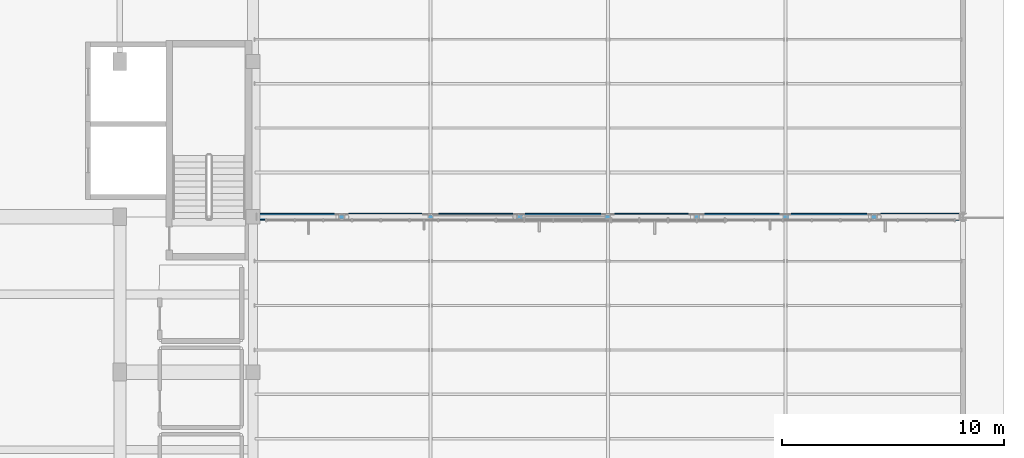
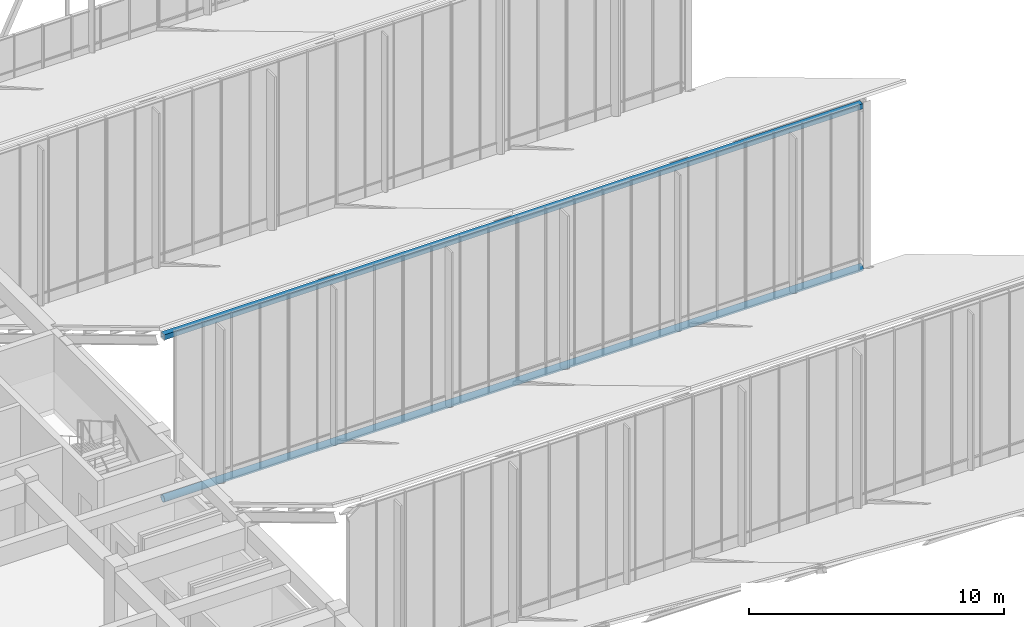
# One storey, part 46 of 155: 2 members.
"""IFC4 building model written with IfcOpenShell, lengths in metres."""

import ifcopenshell
import ifcopenshell.guid

model = None  # the IFC model being written
_history = None  # IfcOwnerHistory: only IFC2X3 demands one
_inside = {}  # id of a spatial element -> (the spatial element, [elements in it])
_under = {}  # id of a project, library or spatial element -> (it, [spatial elements below it])
_declared = {}  # id of a project -> (the project, [libraries it declares])
_typed = {}  # id of a type object -> (the type object, [elements of that type])
_made_of = {}  # id of a material, layer set ... -> (it, [elements and type objects made of it])


def new_model(schema):
    """Start an empty IFC model of exactly this schema.

    Asked for "IFC4X3", IfcOpenShell would pick the latest addendum, in which some entities
    have other attributes; the version numbers below select the first issue.
    IFC2X3 requires an IfcOwnerHistory on every rooted entity: one is made here for all.
    """
    global model, _history
    if schema == "IFC4X3":
        model = ifcopenshell.file(schema_version=(4, 3, 0, 0))
    else:
        model = ifcopenshell.file(schema=schema)
    _inside.clear()
    _under.clear()
    _declared.clear()
    _typed.clear()
    _made_of.clear()
    _history = None
    if model.schema == "IFC2X3":
        org = make("IfcOrganization", Name="unknown")
        user = make(
            "IfcPersonAndOrganization",
            ThePerson=make("IfcPerson", FamilyName="unknown"),
            TheOrganization=org,
        )
        app = make(
            "IfcApplication",
            ApplicationDeveloper=org,
            Version="unknown",
            ApplicationFullName="unknown",
            ApplicationIdentifier="unknown",
        )
        _history = make(
            "IfcOwnerHistory",
            OwningUser=user,
            OwningApplication=app,
            ChangeAction="ADDED",
            CreationDate=0,
        )
    return model


def make(cls, **values):
    """One entity of the class cls with the attributes given. An attribute that is None is left unset."""
    return model.create_entity(
        cls, **{name: value for name, value in values.items() if value is not None}
    )


def rooted(cls, **values):
    """An entity with a GlobalId (a new one), such as an element, a storey or a relation."""
    return make(cls, GlobalId=ifcopenshell.guid.new(), OwnerHistory=_history, **values)


def si_unit(unit_type, name, prefix=None):
    """IfcSIUnit, for example si_unit("LENGTHUNIT", "METRE", prefix="MILLI")."""
    return make("IfcSIUnit", UnitType=unit_type, Prefix=prefix, Name=name)


def assignment(units):
    """IfcUnitAssignment: the units of a project."""
    return None if units is None else make("IfcUnitAssignment", Units=units)


def point(xyz):
    """IfcCartesianPoint."""
    return None if xyz is None else make("IfcCartesianPoint", Coordinates=xyz)


def direction(xyz):
    """IfcDirection."""
    return None if xyz is None else make("IfcDirection", DirectionRatios=xyz)


def frame(location, z_axis=None, x_axis=None):
    """IfcAxis2Placement3D, a coordinate frame: its origin and axes. An axis left out is left unset."""
    return make(
        "IfcAxis2Placement3D",
        Location=point(location),
        Axis=direction(z_axis),
        RefDirection=direction(x_axis),
    )


def frame_2d(location, x_axis=None):
    """IfcAxis2Placement2D, a coordinate frame in the plane: its origin and x axis."""
    return make(
        "IfcAxis2Placement2D", Location=point(location), RefDirection=direction(x_axis)
    )


def origin():
    """The frame at (0, 0, 0) with its axes left unset."""
    return frame((0.0, 0.0, 0.0))


def origin_2d():
    """The frame at (0, 0) in the plane with its x axis left unset."""
    return frame_2d((0.0, 0.0))


def place(relative_to, where):
    """IfcLocalPlacement: puts the frame where relative to a parent placement (None: the world)."""
    return make(
        "IfcLocalPlacement", PlacementRelTo=relative_to, RelativePlacement=where
    )


def context(
    kind, dimensions, precision=None, world=None, true_north=None, identifier=None
):
    """IfcGeometricRepresentationContext, for example the 3D "Model" context."""
    return make(
        "IfcGeometricRepresentationContext",
        ContextIdentifier=identifier,
        ContextType=kind,
        CoordinateSpaceDimension=dimensions,
        Precision=precision,
        WorldCoordinateSystem=world,
        TrueNorth=true_north,
    )


def subcontext(parent, identifier, kind, view, scale=None):
    """IfcGeometricRepresentationSubContext, for example "Body" below "Model"."""
    return make(
        "IfcGeometricRepresentationSubContext",
        ContextIdentifier=identifier,
        ContextType=kind,
        ParentContext=parent,
        TargetScale=scale,
        TargetView=view,
    )


def project(units=None, contexts=None):
    """IfcProject with its units and contexts."""
    return rooted(
        "IfcProject",
        Name="project",
        RepresentationContexts=contexts,
        UnitsInContext=assignment(units),
    )


def spatial(cls, under=None, at=None, **own):
    """A site, building, storey or space (cls), placed at a placement, below another one or the project."""
    s = rooted(cls, ObjectPlacement=at, **own)
    if under is not None:
        _under.setdefault(under.id(), (under, []))[1].append(s)
    return s


def profile(cls, at=None, kind="AREA", **sizes):
    """A parametric profile (cls). Its sizes go by their IFC names, for example OverallWidth=200.0."""
    return make(cls, ProfileType=kind, Position=at, **sizes)


def hollow_rectangle(**sizes):
    """IfcRectangleHollowProfileDef."""
    return profile("IfcRectangleHollowProfileDef", **sizes)


def hollow_circle(**sizes):
    """IfcCircleHollowProfileDef."""
    return profile("IfcCircleHollowProfileDef", **sizes)


def extrude(swept, where, along, depth):
    """IfcExtrudedAreaSolid: the profile swept, set in the frame where, extruded along a direction by depth."""
    return make(
        "IfcExtrudedAreaSolid",
        SweptArea=swept,
        Position=where,
        ExtrudedDirection=direction(along),
        Depth=depth,
    )


def shape(context_of_items, identifier, shape_type, items):
    """IfcShapeRepresentation: the items that make up one representation, for example the "Body"."""
    return make(
        "IfcShapeRepresentation",
        ContextOfItems=context_of_items,
        RepresentationIdentifier=identifier,
        RepresentationType=shape_type,
        Items=items,
    )


def material(Name=None, Category=None):
    """IfcMaterial."""
    return make("IfcMaterial", Name=Name, Category=Category)


def material_profile(
    of_material, cross_section, Name=None, Category=None, Priority=None
):
    """IfcMaterialProfile: a cross section and its material."""
    return make(
        "IfcMaterialProfile",
        Name=Name,
        Material=of_material,
        Profile=cross_section,
        Priority=Priority,
        Category=Category,
    )


def profile_set(profiles, Name=None, composite=None):
    """IfcMaterialProfileSet."""
    return make(
        "IfcMaterialProfileSet",
        Name=Name,
        MaterialProfiles=profiles,
        CompositeProfile=composite,
    )


def made_of(thing, what):
    """Note that an element or type object is made of a material, layer set ...; save() writes the relation."""
    if what is not None:
        _made_of.setdefault(what.id(), (what, []))[1].append(thing)
    return thing


def type_object(cls, material=None, **own):
    """A type object (cls), such as IfcWallType, which elements share."""
    return made_of(rooted(cls, **own), material)


def element(
    cls,
    number,
    at=None,
    inside=None,
    cuts=None,
    type_object=None,
    material=None,
    context=None,
    identifier="Body",
    shape_type=None,
    held_by="IfcProductDefinitionShape",
    body=None,
    shapes=None,
    **own,
):
    """One element of the class cls, such as IfcWall. Its Tag is "e" and its number.

    at: its placement. inside: the storey or other place that contains it. cuts: it is an
    opening in that element (IfcRelVoidsElement). A single representation is given by context,
    identifier, shape_type and body (its items); several are given by shapes. held_by: the class
    of the entity that holds the representations. save() writes the other relations.
    """
    e = rooted(cls, Tag="e%d" % number, ObjectPlacement=at, **own)
    if body is not None:
        shapes = [shape(context, identifier, shape_type, body)]
    if shapes is not None:
        e.Representation = make(held_by, Representations=shapes)
    if inside is not None:
        _inside.setdefault(inside.id(), (inside, []))[1].append(e)
    if cuts is not None:
        rooted(
            "IfcRelVoidsElement", RelatingBuildingElement=cuts, RelatedOpeningElement=e
        )
    if type_object is not None:
        _typed.setdefault(type_object.id(), (type_object, []))[1].append(e)
    return made_of(e, material)


def aggregate(whole, parts):
    """IfcRelAggregates: a whole, such as a stair, and the parts it consists of."""
    return rooted("IfcRelAggregates", RelatingObject=whole, RelatedObjects=parts)


def save(model, path):
    """Write the relations noted so far, then the file.

    IfcRelAggregates (storeys below a building ...), IfcRelContainedInSpatialStructure (elements
    in a storey), IfcRelDefinesByType, IfcRelAssociatesMaterial and IfcRelDeclares: one each for
    every whole, place, type object, material and project.
    """
    for whole, parts in _under.values():
        aggregate(whole, parts)
    for where, things in _inside.values():
        rooted(
            "IfcRelContainedInSpatialStructure",
            RelatedElements=things,
            RelatingStructure=where,
        )
    for kind, things in _typed.values():
        rooted("IfcRelDefinesByType", RelatedObjects=things, RelatingType=kind)
    for what, things in _made_of.values():
        rooted("IfcRelAssociatesMaterial", RelatedObjects=things, RelatingMaterial=what)
    for by, libraries in _declared.values():
        rooted("IfcRelDeclares", RelatingContext=by, RelatedDefinitions=libraries)
    model.write(path)


model = new_model("IFC4")

# Units and contexts
model_context = context("Model", 3, precision=1e-05, world=origin(), true_north=direction((0.0, 1.0)))
body_context = subcontext(model_context, "Body", "Model", "MODEL_VIEW")
ifc_project = project(units=[si_unit("LENGTHUNIT", "METRE"), si_unit("AREAUNIT", "SQUARE_METRE"), si_unit("VOLUMEUNIT", "CUBIC_METRE"), si_unit("PLANEANGLEUNIT", "RADIAN"), si_unit("MASSUNIT", "GRAM", prefix="KILO")], contexts=[model_context])

# Site, building, storey
site_placement = place(None, origin())
site = spatial("IfcSite", under=ifc_project, at=site_placement, CompositionType="ELEMENT")
building_placement = place(site_placement, origin())
building = spatial("IfcBuilding", under=site, at=building_placement, Name="Larkveld Mobility Hub", CompositionType="ELEMENT")
storey_placement = place(building_placement, frame((0.0, 0.0, 8.39990234375)))
storey = spatial("IfcBuildingStorey", under=building, at=storey_placement, Name="L02", CompositionType="ELEMENT", Elevation=8.39990234375)

# Members
ifc_material = material(Name="Steel S355JR", Category="steel")
ifc_material_profile_1 = material_profile(ifc_material, hollow_circle(Radius=0.161865234375, WallThickness=0.012451171875, at=origin_2d()), Name="CHS 323.9x12.5")
ifc_profile_set_1 = profile_set([ifc_material_profile_1], Name="Steel S355JR")
member_type_1 = type_object("IfcMemberType", Name="MB-CH-CHS324", PredefinedType="CHORD", material=ifc_profile_set_1)
member_1_placement = place(storey_placement, frame((152.159912109375, 56.0, 0.162109375), z_axis=(1.0, 0.0, 0.0), x_axis=(0.0, 1.0, 0.0)))
element("IfcMember", 1, at=member_1_placement, inside=storey, type_object=member_type_1, Name="ROOF TRUSS T3 Bottom Chord", PredefinedType="CHORD", context=body_context, shape_type="SweptSolid", body=[
    extrude(hollow_circle(Radius=0.161865234375, WallThickness=0.012451171875, at=origin_2d()), origin(), (0.0, 0.0, 1.0), 31.68017578125),
])
ifc_material_profile_2 = material_profile(ifc_material, hollow_rectangle(XDim=0.25, YDim=0.25, WallThickness=0.012451171875, at=origin_2d()), Name="SHS 250x250x12.5")
ifc_profile_set_2 = profile_set([ifc_material_profile_2], Name="Steel S355JR")
member_type_2 = type_object("IfcMemberType", Name="MB-CH-SHS250", PredefinedType="CHORD", material=ifc_profile_set_2)
member_2_placement = place(storey_placement, frame((152.159912109375, 56.0, 7.9501953125), z_axis=(1.0, 0.0, 0.0), x_axis=(0.0, 1.0, 0.0)))
element("IfcMember", 2, at=member_2_placement, inside=storey, type_object=member_type_2, Name="ROOF TRUSS T3 Top Chord", PredefinedType="CHORD", context=body_context, shape_type="SweptSolid", body=[
    extrude(hollow_rectangle(XDim=0.25, YDim=0.25, WallThickness=0.012451171875, at=origin_2d()), origin(), (0.0, 0.0, 1.0), 31.68017578125),
])

save(model, "model.ifc")
